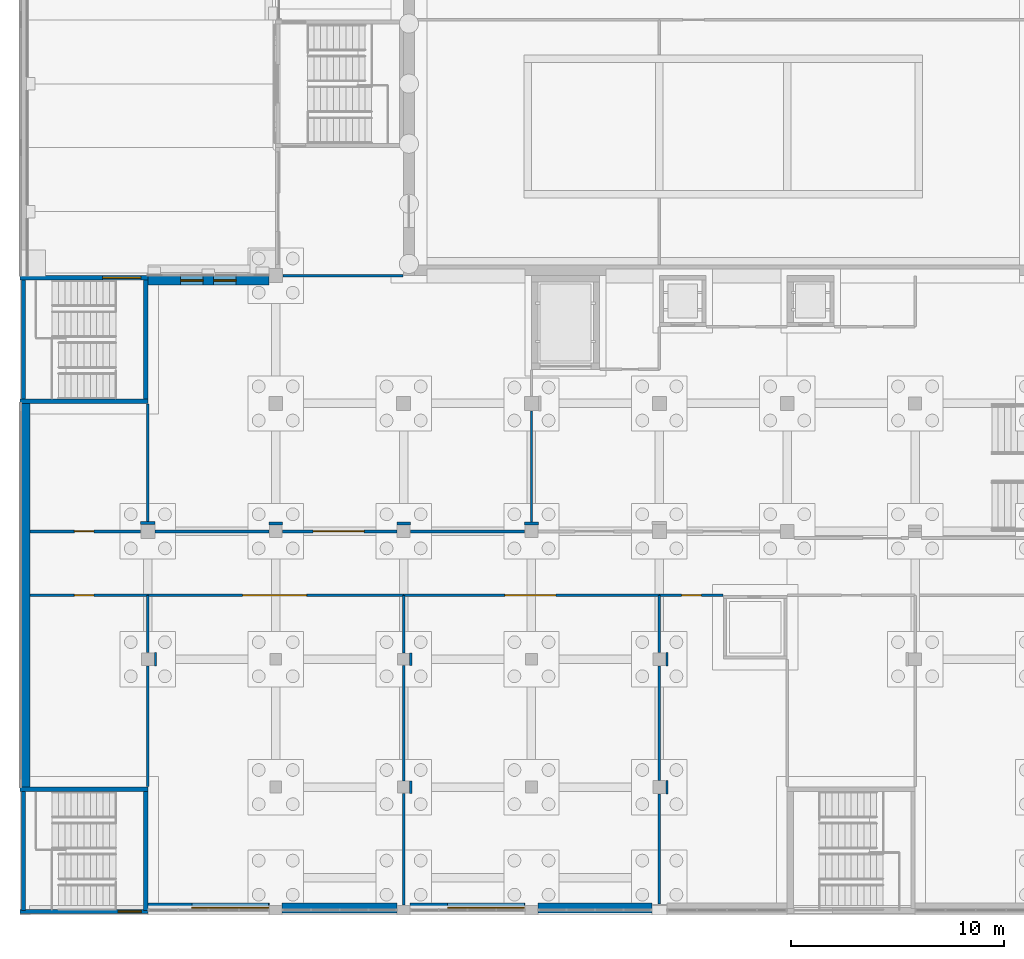
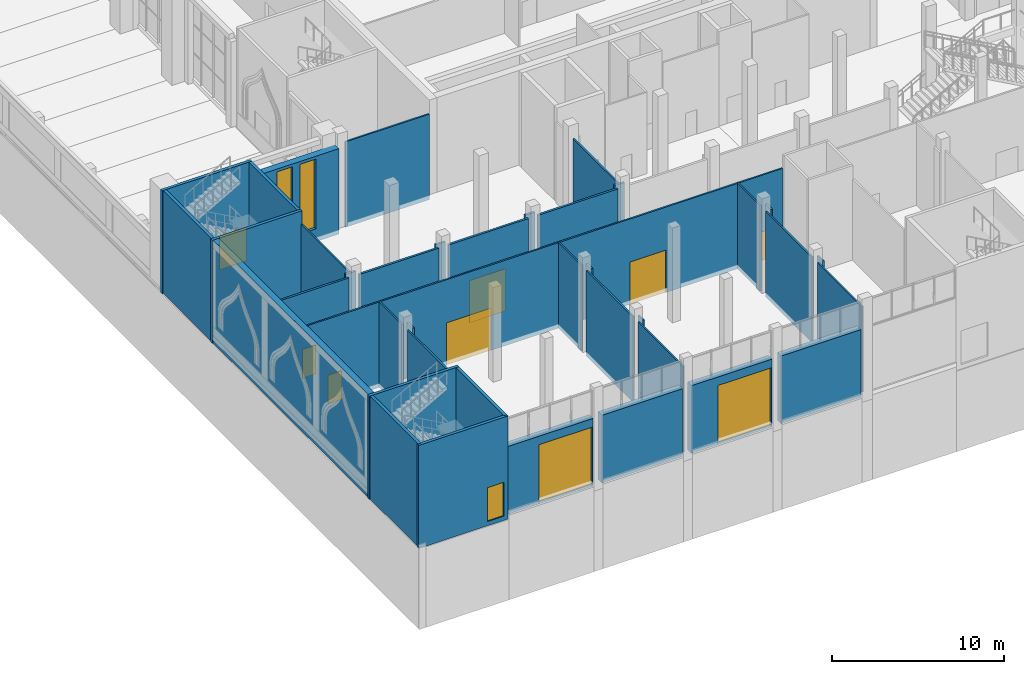
# One storey, part 40 of 95: 42 walls, 10 doors, 2 windows, 12 openings.
"""IFC4 building model written with IfcOpenShell, lengths in metres."""

import ifcopenshell
import ifcopenshell.guid

model = None  # the IFC model being written
_history = None  # IfcOwnerHistory: only IFC2X3 demands one
_inside = {}  # id of a spatial element -> (the spatial element, [elements in it])
_under = {}  # id of a project, library or spatial element -> (it, [spatial elements below it])
_declared = {}  # id of a project -> (the project, [libraries it declares])
_typed = {}  # id of a type object -> (the type object, [elements of that type])
_made_of = {}  # id of a material, layer set ... -> (it, [elements and type objects made of it])


def new_model(schema):
    """Start an empty IFC model of exactly this schema.

    Asked for "IFC4X3", IfcOpenShell would pick the latest addendum, in which some entities
    have other attributes; the version numbers below select the first issue.
    IFC2X3 requires an IfcOwnerHistory on every rooted entity: one is made here for all.
    """
    global model, _history
    if schema == "IFC4X3":
        model = ifcopenshell.file(schema_version=(4, 3, 0, 0))
    else:
        model = ifcopenshell.file(schema=schema)
    _inside.clear()
    _under.clear()
    _declared.clear()
    _typed.clear()
    _made_of.clear()
    _history = None
    if model.schema == "IFC2X3":
        org = make("IfcOrganization", Name="unknown")
        user = make(
            "IfcPersonAndOrganization",
            ThePerson=make("IfcPerson", FamilyName="unknown"),
            TheOrganization=org,
        )
        app = make(
            "IfcApplication",
            ApplicationDeveloper=org,
            Version="unknown",
            ApplicationFullName="unknown",
            ApplicationIdentifier="unknown",
        )
        _history = make(
            "IfcOwnerHistory",
            OwningUser=user,
            OwningApplication=app,
            ChangeAction="ADDED",
            CreationDate=0,
        )
    return model


def make(cls, **values):
    """One entity of the class cls with the attributes given. An attribute that is None is left unset."""
    return model.create_entity(
        cls, **{name: value for name, value in values.items() if value is not None}
    )


def rooted(cls, **values):
    """An entity with a GlobalId (a new one), such as an element, a storey or a relation."""
    return make(cls, GlobalId=ifcopenshell.guid.new(), OwnerHistory=_history, **values)


def si_unit(unit_type, name, prefix=None):
    """IfcSIUnit, for example si_unit("LENGTHUNIT", "METRE", prefix="MILLI")."""
    return make("IfcSIUnit", UnitType=unit_type, Prefix=prefix, Name=name)


def assignment(units):
    """IfcUnitAssignment: the units of a project."""
    return None if units is None else make("IfcUnitAssignment", Units=units)


def point(xyz):
    """IfcCartesianPoint."""
    return None if xyz is None else make("IfcCartesianPoint", Coordinates=xyz)


def direction(xyz):
    """IfcDirection."""
    return None if xyz is None else make("IfcDirection", DirectionRatios=xyz)


def frame(location, z_axis=None, x_axis=None):
    """IfcAxis2Placement3D, a coordinate frame: its origin and axes. An axis left out is left unset."""
    return make(
        "IfcAxis2Placement3D",
        Location=point(location),
        Axis=direction(z_axis),
        RefDirection=direction(x_axis),
    )


def frame_2d(location, x_axis=None):
    """IfcAxis2Placement2D, a coordinate frame in the plane: its origin and x axis."""
    return make(
        "IfcAxis2Placement2D", Location=point(location), RefDirection=direction(x_axis)
    )


def origin():
    """The frame at (0, 0, 0) with its axes left unset."""
    return frame((0.0, 0.0, 0.0))


def place(relative_to, where):
    """IfcLocalPlacement: puts the frame where relative to a parent placement (None: the world)."""
    return make(
        "IfcLocalPlacement", PlacementRelTo=relative_to, RelativePlacement=where
    )


def context(
    kind, dimensions, precision=None, world=None, true_north=None, identifier=None
):
    """IfcGeometricRepresentationContext, for example the 3D "Model" context."""
    return make(
        "IfcGeometricRepresentationContext",
        ContextIdentifier=identifier,
        ContextType=kind,
        CoordinateSpaceDimension=dimensions,
        Precision=precision,
        WorldCoordinateSystem=world,
        TrueNorth=true_north,
    )


def subcontext(parent, identifier, kind, view, scale=None):
    """IfcGeometricRepresentationSubContext, for example "Body" below "Model"."""
    return make(
        "IfcGeometricRepresentationSubContext",
        ContextIdentifier=identifier,
        ContextType=kind,
        ParentContext=parent,
        TargetScale=scale,
        TargetView=view,
    )


def project(units=None, contexts=None):
    """IfcProject with its units and contexts."""
    return rooted(
        "IfcProject",
        Name="project",
        RepresentationContexts=contexts,
        UnitsInContext=assignment(units),
    )


def spatial(cls, under=None, at=None, **own):
    """A site, building, storey or space (cls), placed at a placement, below another one or the project."""
    s = rooted(cls, ObjectPlacement=at, **own)
    if under is not None:
        _under.setdefault(under.id(), (under, []))[1].append(s)
    return s


def profile(cls, at=None, kind="AREA", **sizes):
    """A parametric profile (cls). Its sizes go by their IFC names, for example OverallWidth=200.0."""
    return make(cls, ProfileType=kind, Position=at, **sizes)


def rectangle(**sizes):
    """IfcRectangleProfileDef."""
    return profile("IfcRectangleProfileDef", **sizes)


def extrude(swept, where, along, depth):
    """IfcExtrudedAreaSolid: the profile swept, set in the frame where, extruded along a direction by depth."""
    return make(
        "IfcExtrudedAreaSolid",
        SweptArea=swept,
        Position=where,
        ExtrudedDirection=direction(along),
        Depth=depth,
    )


def shape(context_of_items, identifier, shape_type, items):
    """IfcShapeRepresentation: the items that make up one representation, for example the "Body"."""
    return make(
        "IfcShapeRepresentation",
        ContextOfItems=context_of_items,
        RepresentationIdentifier=identifier,
        RepresentationType=shape_type,
        Items=items,
    )


def material(Name=None, Category=None):
    """IfcMaterial."""
    return make("IfcMaterial", Name=Name, Category=Category)


def layer(
    of_material, thickness, ventilated=None, Name=None, Category=None, Priority=None
):
    """IfcMaterialLayer: one layer of a wall or slab, of a material (None: an air gap)."""
    return make(
        "IfcMaterialLayer",
        Material=of_material,
        LayerThickness=thickness,
        IsVentilated=ventilated,
        Name=Name,
        Category=Category,
        Priority=Priority,
    )


def layer_set(layers, Name=None):
    """IfcMaterialLayerSet."""
    return make("IfcMaterialLayerSet", MaterialLayers=layers, LayerSetName=Name)


def made_of(thing, what):
    """Note that an element or type object is made of a material, layer set ...; save() writes the relation."""
    if what is not None:
        _made_of.setdefault(what.id(), (what, []))[1].append(thing)
    return thing


def type_object(cls, material=None, **own):
    """A type object (cls), such as IfcWallType, which elements share."""
    return made_of(rooted(cls, **own), material)


def element(
    cls,
    number,
    at=None,
    inside=None,
    cuts=None,
    type_object=None,
    material=None,
    context=None,
    identifier="Body",
    shape_type=None,
    held_by="IfcProductDefinitionShape",
    body=None,
    shapes=None,
    **own,
):
    """One element of the class cls, such as IfcWall. Its Tag is "e" and its number.

    at: its placement. inside: the storey or other place that contains it. cuts: it is an
    opening in that element (IfcRelVoidsElement). A single representation is given by context,
    identifier, shape_type and body (its items); several are given by shapes. held_by: the class
    of the entity that holds the representations. save() writes the other relations.
    """
    e = rooted(cls, Tag="e%d" % number, ObjectPlacement=at, **own)
    if body is not None:
        shapes = [shape(context, identifier, shape_type, body)]
    if shapes is not None:
        e.Representation = make(held_by, Representations=shapes)
    if inside is not None:
        _inside.setdefault(inside.id(), (inside, []))[1].append(e)
    if cuts is not None:
        rooted(
            "IfcRelVoidsElement", RelatingBuildingElement=cuts, RelatedOpeningElement=e
        )
    if type_object is not None:
        _typed.setdefault(type_object.id(), (type_object, []))[1].append(e)
    return made_of(e, material)


def fill(opening, filler):
    """IfcRelFillsElement: the door or window that sits in an opening."""
    return rooted(
        "IfcRelFillsElement",
        RelatingOpeningElement=opening,
        RelatedBuildingElement=filler,
    )


def aggregate(whole, parts):
    """IfcRelAggregates: a whole, such as a stair, and the parts it consists of."""
    return rooted("IfcRelAggregates", RelatingObject=whole, RelatedObjects=parts)


def save(model, path):
    """Write the relations noted so far, then the file.

    IfcRelAggregates (storeys below a building ...), IfcRelContainedInSpatialStructure (elements
    in a storey), IfcRelDefinesByType, IfcRelAssociatesMaterial and IfcRelDeclares: one each for
    every whole, place, type object, material and project.
    """
    for whole, parts in _under.values():
        aggregate(whole, parts)
    for where, things in _inside.values():
        rooted(
            "IfcRelContainedInSpatialStructure",
            RelatedElements=things,
            RelatingStructure=where,
        )
    for kind, things in _typed.values():
        rooted("IfcRelDefinesByType", RelatedObjects=things, RelatingType=kind)
    for what, things in _made_of.values():
        rooted("IfcRelAssociatesMaterial", RelatedObjects=things, RelatingMaterial=what)
    for by, libraries in _declared.values():
        rooted("IfcRelDeclares", RelatingContext=by, RelatedDefinitions=libraries)
    model.write(path)


model = new_model("IFC4")

# Units and contexts
model_context = context("Model", 3, precision=1e-05, world=origin(), true_north=direction((0.0, 1.0)))
body_context = subcontext(model_context, "Body", "Model", "MODEL_VIEW")
ifc_project = project(units=[si_unit("LENGTHUNIT", "METRE"), si_unit("AREAUNIT", "SQUARE_METRE"), si_unit("VOLUMEUNIT", "CUBIC_METRE"), si_unit("PLANEANGLEUNIT", "RADIAN"), si_unit("MASSUNIT", "GRAM", prefix="KILO")], contexts=[model_context])

# Site, building, storey
site_placement = place(None, origin())
site = spatial("IfcSite", under=ifc_project, at=site_placement, CompositionType="ELEMENT")
building_placement = place(site_placement, origin())
building = spatial("IfcBuilding", under=site, at=building_placement, Name="Saffron Lane Theatres", CompositionType="ELEMENT")
storey_placement = place(building_placement, origin())
storey = spatial("IfcBuildingStorey", under=building, at=storey_placement, Name="L00", CompositionType="ELEMENT", Elevation=0.0)

# Wall, openings, windows
ifc_material_1 = material(Name="Masonry pale clay brick", Category="masonry")
ifc_layer_1 = layer(ifc_material_1, 0.449951171875)
ifc_layer_set_1 = layer_set([ifc_layer_1], Name="Masonry pale clay brick")
wall_type_1 = type_object("IfcWallType", Name="EX-WALL BRICK 450", PredefinedType="SOLIDWALL", material=ifc_layer_set_1)
wall_1_placement = place(storey_placement, frame((6.0, 29.77490234375, 0.0), z_axis=(0.0, 0.0, 1.0), x_axis=(1.0, 0.0, 0.0)))
wall_1 = element("IfcWall", 1, at=wall_1_placement, inside=storey, type_object=wall_type_1, Name="External wall L00 01", PredefinedType="SOLIDWALL", context=body_context, shape_type="SweptSolid", body=[
    extrude(rectangle(XDim=5.675048828125, YDim=0.449951171875, at=frame_2d((2.83740234375, 0.0))), origin(), (0.0, 0.0, 1.0), 6.050048828125),
])
opening_1_placement = place(wall_1_placement, frame((1.5380859375, 0.0, 0.89990234375)))
opening_1 = element("IfcOpeningElement", 2, at=opening_1_placement, cuts=wall_1, Name="Opening WN00-001", PredefinedType="OPENING", context=body_context, shape_type="SweptSolid", body=[
    extrude(rectangle(XDim=1.050048828125, YDim=4.949951171875, at=frame_2d((0.52490234375, 2.47509765625))), frame((0.0, 0.23486328125, 0.0), z_axis=(0.0, -1.0, 0.0), x_axis=(1.0, 0.0, 0.0)), (0.0, 0.0, 1.0), 0.469970703125),
])
opening_2_placement = place(wall_1_placement, frame((3.087890625, 0.0, 0.89990234375)))
opening_2 = element("IfcOpeningElement", 3, at=opening_2_placement, cuts=wall_1, Name="Opening WN00-002", PredefinedType="OPENING", context=body_context, shape_type="SweptSolid", body=[
    extrude(rectangle(XDim=1.050048828125, YDim=4.949951171875, at=frame_2d((0.52490234375, 2.47509765625))), frame((0.0, 0.23486328125, 0.0), z_axis=(0.0, -1.0, 0.0), x_axis=(1.0, 0.0, 0.0)), (0.0, 0.0, 1.0), 0.469970703125),
])
ifc_material_2 = material(Name="Aluminium", Category="aluminium")
window_type = type_object("IfcWindowType", Name="EX-WINDOW 1050x4950", PartitioningType="SINGLE_PANEL", PredefinedType="WINDOW", material=ifc_material_2)
window_1_placement = place(opening_1_placement, origin())
window_1 = element("IfcWindow", 4, at=window_1_placement, inside=storey, type_object=window_type, Name="Window L00 001", OverallHeight=4.949951171875, OverallWidth=1.050048828125, PartitioningType="SINGLE_PANEL", PredefinedType="WINDOW", context=body_context, shape_type="SweptSolid", body=[
    extrude(rectangle(XDim=1.050048828125, YDim=4.949951171875, at=frame_2d((0.52490234375, 2.47509765625))), frame((0.0, 0.030029296875, 0.0), z_axis=(0.0, -1.0, 0.0), x_axis=(1.0, 0.0, 0.0)), (0.0, 0.0, 1.0), 0.06005859375),
])
fill(opening_1, window_1)
window_2_placement = place(opening_2_placement, origin())
window_2 = element("IfcWindow", 5, at=window_2_placement, inside=storey, type_object=window_type, Name="Window L00 002", OverallHeight=4.949951171875, OverallWidth=1.050048828125, PartitioningType="SINGLE_PANEL", PredefinedType="WINDOW", context=body_context, shape_type="SweptSolid", body=[
    extrude(rectangle(XDim=1.050048828125, YDim=4.949951171875, at=frame_2d((0.52490234375, 2.47509765625))), frame((0.0, 0.030029296875, 0.0), z_axis=(0.0, -1.0, 0.0), x_axis=(1.0, 0.0, 0.0)), (0.0, 0.0, 1.0), 0.06005859375),
])
fill(opening_2, window_2)

# Wall
wall_2_placement = place(storey_placement, frame((29.64990234375, 0.324951171875, 0.0), z_axis=(0.0, 0.0, 1.0), x_axis=(-1.0, 0.0, 0.0)))
element("IfcWall", 6, at=wall_2_placement, inside=storey, type_object=wall_type_1, Name="External wall L00 23", PredefinedType="SOLIDWALL", context=body_context, shape_type="SweptSolid", body=[
    extrude(rectangle(XDim=5.349853515625, YDim=0.449951171875, at=frame_2d((2.6748046875, 0.0))), origin(), (0.0, 0.0, 1.0), 4.800048828125),
])

# Wall, opening, door
wall_3_placement = place(storey_placement, frame((23.699951171875, 0.324951171875, 0.0), z_axis=(0.0, 0.0, 1.0), x_axis=(-1.0, 0.0, 0.0)))
wall_3 = element("IfcWall", 7, at=wall_3_placement, inside=storey, type_object=wall_type_1, Name="External wall L00 24", PredefinedType="SOLIDWALL", context=body_context, shape_type="SweptSolid", body=[
    extrude(rectangle(XDim=5.39990234375, YDim=0.449951171875, at=frame_2d((2.699951171875, 0.0))), origin(), (0.0, 0.0, 1.0), 4.800048828125),
])
opening_3_placement = place(wall_3_placement, frame((0.030029296875, 0.0, 0.0)))
opening_3 = element("IfcOpeningElement", 8, at=opening_3_placement, cuts=wall_3, Name="Opening ED00-10", PredefinedType="OPENING", context=body_context, shape_type="SweptSolid", body=[
    extrude(rectangle(XDim=3.60009765625, YDim=4.199951171875, at=frame_2d((1.800048828125, 2.10009765625))), frame((0.0, 0.23486328125, 0.0), z_axis=(0.0, -1.0, 0.0), x_axis=(1.0, 0.0, 0.0)), (0.0, 0.0, 1.0), 0.469970703125),
])
ifc_material_3 = material(Name="Steel faced door leaf", Category="steel")
door_type_1 = type_object("IfcDoorType", Name="EX-ROLLER SHUTTER 3600x4200", OperationType="ROLLINGUP", PredefinedType="DOOR", material=ifc_material_3)
door_1_placement = place(opening_3_placement, origin())
door_1 = element("IfcDoor", 9, at=door_1_placement, inside=storey, type_object=door_type_1, Name="Scene Dock door", OperationType="ROLLINGUP", OverallHeight=4.199951171875, OverallWidth=3.60009765625, PredefinedType="DOOR", context=body_context, shape_type="SweptSolid", body=[
    extrude(rectangle(XDim=3.60009765625, YDim=4.199951171875, at=frame_2d((1.800048828125, 2.10009765625))), frame((0.0, 0.02490234375, 0.0), z_axis=(0.0, -1.0, 0.0), x_axis=(1.0, 0.0, 0.0)), (0.0, 0.0, 1.0), 0.050048828125),
])
fill(opening_3, door_1)

# Wall
wall_4_placement = place(storey_placement, frame((17.699951171875, 0.324951171875, 0.0), z_axis=(0.0, 0.0, 1.0), x_axis=(-1.0, 0.0, 0.0)))
element("IfcWall", 10, at=wall_4_placement, inside=storey, type_object=wall_type_1, Name="External wall L00 25", PredefinedType="SOLIDWALL", context=body_context, shape_type="SweptSolid", body=[
    extrude(rectangle(XDim=5.39990234375, YDim=0.449951171875, at=frame_2d((2.699951171875, 0.0))), origin(), (0.0, 0.0, 1.0), 4.800048828125),
])

# Wall, opening, door
wall_5_placement = place(storey_placement, frame((11.699951171875, 0.324951171875, 0.0), z_axis=(0.0, 0.0, 1.0), x_axis=(-1.0, 0.0, 0.0)))
wall_5 = element("IfcWall", 11, at=wall_5_placement, inside=storey, type_object=wall_type_1, Name="External wall L00 26", PredefinedType="SOLIDWALL", context=body_context, shape_type="SweptSolid", body=[
    extrude(rectangle(XDim=5.699951171875, YDim=0.449951171875, at=frame_2d((2.85009765625, 0.0))), origin(), (0.0, 0.0, 1.0), 4.800048828125),
])
opening_4_placement = place(wall_5_placement, frame((0.030029296875, 0.0, 0.0)))
opening_4 = element("IfcOpeningElement", 12, at=opening_4_placement, cuts=wall_5, Name="Opening ED00-11", PredefinedType="OPENING", context=body_context, shape_type="SweptSolid", body=[
    extrude(rectangle(XDim=3.60009765625, YDim=4.199951171875, at=frame_2d((1.800048828125, 2.10009765625))), frame((0.0, 0.23486328125, 0.0), z_axis=(0.0, -1.0, 0.0), x_axis=(1.0, 0.0, 0.0)), (0.0, 0.0, 1.0), 0.469970703125),
])
door_2_placement = place(opening_4_placement, origin())
door_2 = element("IfcDoor", 13, at=door_2_placement, inside=storey, type_object=door_type_1, Name="Loading Dock door", OperationType="ROLLINGUP", OverallHeight=4.199951171875, OverallWidth=3.60009765625, PredefinedType="DOOR", context=body_context, shape_type="SweptSolid", body=[
    extrude(rectangle(XDim=3.60009765625, YDim=4.199951171875, at=frame_2d((1.800048828125, 2.10009765625))), frame((0.0, 0.02490234375, 0.0), z_axis=(0.0, -1.0, 0.0), x_axis=(1.0, 0.0, 0.0)), (0.0, 0.0, 1.0), 0.050048828125),
])
fill(opening_4, door_2)

ifc_material_4 = material(Name="Masonry block partition", Category="masonry")
ifc_layer_2 = layer(ifc_material_4, 0.110107421875)
ifc_layer_set_2 = layer_set([ifc_layer_2], Name="Masonry block partition")
wall_type_2 = type_object("IfcWallType", Name="IN-BLOCK PARTITION 110", PredefinedType="PARTITIONING", material=ifc_layer_set_2)
wall_6_placement = place(storey_placement, frame((0.47998046875, 15.0, 0.0), z_axis=(0.0, 0.0, 1.0), x_axis=(1.0, 0.0, 0.0)))
wall_6 = element("IfcWall", 14, at=wall_6_placement, inside=storey, type_object=wall_type_2, Name="PW-L00-005", PredefinedType="PARTITIONING", context=body_context, shape_type="SweptSolid", body=[
    extrude(rectangle(XDim=5.52001953125, YDim=0.110107421875, at=frame_2d((2.760009765625, 0.0))), origin(), (0.0, 0.0, 1.0), 6.050048828125),
])
opening_5_placement = place(wall_6_placement, frame((2.070068359375, 0.0, 0.0)))
opening_5 = element("IfcOpeningElement", 15, at=opening_5_placement, cuts=wall_6, Name="Opening D00-21", PredefinedType="OPENING", context=body_context, shape_type="SweptSolid", body=[
    extrude(rectangle(XDim=0.919921875, YDim=2.0400390625, at=frame_2d((0.4599609375, 1.02001953125))), frame((0.0, 0.06494140625, 0.0), z_axis=(0.0, -1.0, 0.0), x_axis=(1.0, 0.0, 0.0)), (0.0, 0.0, 1.0), 0.130126953125),
])
ifc_material_5 = material(Name="Steel faced fire door leaf", Category="steel")
door_type_2 = type_object("IfcDoorType", Name="IN-DOOR 920x2040 FD60", OperationType="NOTDEFINED", PredefinedType="DOOR", material=ifc_material_5)
door_3_placement = place(opening_5_placement, frame((0.919921875, 0.0, 0.0), z_axis=(0.0, 0.0, 1.0), x_axis=(-1.0, 0.0, 0.0)))
door_3 = element("IfcDoor", 16, at=door_3_placement, inside=storey, type_object=door_type_2, Name="D00-21", OperationType="SINGLE_SWING_LEFT", OverallHeight=2.0400390625, OverallWidth=0.919921875, PredefinedType="DOOR", context=body_context, shape_type="SweptSolid", body=[
    extrude(rectangle(XDim=0.919921875, YDim=2.0400390625, at=frame_2d((0.4599609375, 1.02001953125))), frame((0.0, 0.02490234375, 0.0), z_axis=(0.0, -1.0, 0.0), x_axis=(1.0, 0.0, 0.0)), (0.0, 0.0, 1.0), 0.050048828125),
])
fill(opening_5, door_3)

# Walls
wall_7_placement = place(storey_placement, frame((6.0, 6.02001953125, 0.0), z_axis=(0.0, 0.0, 1.0), x_axis=(0.0, 1.0, 0.0)))
element("IfcWall", 17, at=wall_7_placement, inside=storey, type_object=wall_type_2, Name="PW-L00-008", PredefinedType="PARTITIONING", context=body_context, shape_type="SweptSolid", body=[
    extrude(rectangle(XDim=5.659912109375, YDim=0.110107421875, at=frame_2d((2.830078125, 0.0))), origin(), (0.0, 0.0, 1.0), 6.050048828125),
])
wall_8_placement = place(storey_placement, frame((6.0, 12.320068359375, 0.0), z_axis=(0.0, 0.0, 1.0), x_axis=(0.0, 1.0, 0.0)))
element("IfcWall", 18, at=wall_8_placement, inside=storey, type_object=wall_type_2, Name="PW-L00-009", PredefinedType="PARTITIONING", context=body_context, shape_type="SweptSolid", body=[
    extrude(rectangle(XDim=2.679931640625, YDim=0.110107421875, at=frame_2d((1.33984375, 0.0))), origin(), (0.0, 0.0, 1.0), 6.050048828125),
])
wall_9_placement = place(storey_placement, frame((6.360107421875, 11.679931640625, 0.0), z_axis=(0.0, 0.0, 1.0), x_axis=(0.0, 1.0, 0.0)))
element("IfcWall", 19, at=wall_9_placement, inside=storey, type_object=wall_type_2, Name="PW-L00-010", PredefinedType="PARTITIONING", context=body_context, shape_type="SweptSolid", body=[
    extrude(rectangle(XDim=0.64013671875, YDim=0.110107421875, at=frame_2d((0.320068359375, 0.0))), origin(), (0.0, 0.0, 1.0), 6.050048828125),
])

# Wall, opening, door
wall_10_placement = place(storey_placement, frame((6.0, 15.0, 0.0), z_axis=(0.0, 0.0, 1.0), x_axis=(1.0, 0.0, 0.0)))
wall_10 = element("IfcWall", 20, at=wall_10_placement, inside=storey, type_object=wall_type_2, Name="PW-L00-011", PredefinedType="PARTITIONING", context=body_context, shape_type="SweptSolid", body=[
    extrude(rectangle(XDim=12.0, YDim=0.110107421875, at=frame_2d((6.0, 0.0))), origin(), (0.0, 0.0, 1.0), 6.050048828125),
])
opening_6_placement = place(wall_10_placement, frame((4.449951171875, 0.0, 0.0)))
opening_6 = element("IfcOpeningElement", 21, at=opening_6_placement, cuts=wall_10, Name="Opening D00-19", PredefinedType="OPENING", context=body_context, shape_type="SweptSolid", body=[
    extrude(rectangle(XDim=3.0, YDim=3.0, at=frame_2d((1.5, 1.5))), frame((0.0, 0.06494140625, 0.0), z_axis=(0.0, -1.0, 0.0), x_axis=(1.0, 0.0, 0.0)), (0.0, 0.0, 1.0), 0.130126953125),
])
ifc_material_6 = material(Name="Steel faced fire door leaf", Category="steel")
door_type_3 = type_object("IfcDoorType", Name="IN-DOOR 3000x3000 FD60", OperationType="DOUBLE_DOOR_SINGLE_SWING", PredefinedType="DOOR", material=ifc_material_6)
door_4_placement = place(opening_6_placement, frame((3.0, 0.0, 0.0), z_axis=(0.0, 0.0, 1.0), x_axis=(-1.0, 0.0, 0.0)))
door_4 = element("IfcDoor", 22, at=door_4_placement, inside=storey, type_object=door_type_3, Name="D00-19", OperationType="DOUBLE_DOOR_SINGLE_SWING", OverallHeight=3.0, OverallWidth=3.0, PredefinedType="DOOR", context=body_context, shape_type="SweptSolid", body=[
    extrude(rectangle(XDim=3.0, YDim=3.0, at=frame_2d((1.5, 1.5))), frame((0.0, 0.02490234375, 0.0), z_axis=(0.0, -1.0, 0.0), x_axis=(1.0, 0.0, 0.0)), (0.0, 0.0, 1.0), 0.050048828125),
])
fill(opening_6, door_4)

# Walls
for number, where, z_axis, x_axis, name in (
    (23, (6.0, 18.344970703125, 0.0), (0.0, 0.0, 1.0), (0.0, 1.0, 0.0), "PW-L00-012"),
    (24, (12.344970703125, 30.0, 0.0), (0.0, 0.0, 1.0), (1.0, 0.0, 0.0), "PW-L00-013"),
):
    element("IfcWall", number, at=place(storey_placement, frame(where, z_axis=z_axis, x_axis=x_axis)), inside=storey, type_object=wall_type_2, Name=name, PredefinedType="PARTITIONING", context=body_context, shape_type="SweptSolid", body=[
        extrude(rectangle(XDim=5.635009765625, YDim=0.110107421875, at=frame_2d((2.8173828125, 0.0))), origin(), (0.0, 0.0, 1.0), 6.050048828125),
    ])
wall_11_placement = place(storey_placement, frame((18.0, 12.294921875, 0.0), z_axis=(0.0, 0.0, 1.0), x_axis=(0.0, 1.0, 0.0)))
element("IfcWall", 25, at=wall_11_placement, inside=storey, type_object=wall_type_2, Name="PW-L00-016", PredefinedType="PARTITIONING", context=body_context, shape_type="SweptSolid", body=[
    extrude(rectangle(XDim=2.705078125, YDim=0.110107421875, at=frame_2d((1.3525390625, 0.0))), origin(), (0.0, 0.0, 1.0), 6.050048828125),
])
wall_12_placement = place(storey_placement, frame((18.0, 6.294921875, 0.0), z_axis=(0.0, 0.0, 1.0), x_axis=(0.0, 1.0, 0.0)))
element("IfcWall", 26, at=wall_12_placement, inside=storey, type_object=wall_type_2, Name="PW-L00-017", PredefinedType="PARTITIONING", context=body_context, shape_type="SweptSolid", body=[
    extrude(rectangle(XDim=5.41015625, YDim=0.110107421875, at=frame_2d((2.705078125, 0.0))), origin(), (0.0, 0.0, 1.0), 6.050048828125),
])
wall_13_placement = place(storey_placement, frame((18.0, 0.470458984375, 0.0), z_axis=(0.0, 0.0, 1.0), x_axis=(0.0, 1.0, 0.0)))
element("IfcWall", 27, at=wall_13_placement, inside=storey, type_object=wall_type_2, Name="PW-L00-018", PredefinedType="PARTITIONING", context=body_context, shape_type="SweptSolid", body=[
    extrude(rectangle(XDim=5.234619140625, YDim=0.110107421875, at=frame_2d((2.6171875, 0.0))), origin(), (0.0, 0.0, 1.0), 6.050048828125),
])
for number, where, z_axis, x_axis, name in (
    (28, (18.3349609375, 11.705078125, 0.0), (0.0, 0.0, 1.0), (0.0, 1.0, 0.0), "PW-L00-019"),
    (29, (18.3349609375, 5.705078125, 0.0), (0.0, 0.0, 1.0), (0.0, 1.0, 0.0), "PW-L00-020"),
):
    element("IfcWall", number, at=place(storey_placement, frame(where, z_axis=z_axis, x_axis=x_axis)), inside=storey, type_object=wall_type_2, Name=name, PredefinedType="PARTITIONING", context=body_context, shape_type="SweptSolid", body=[
        extrude(rectangle(XDim=0.58984375, YDim=0.110107421875, at=frame_2d((0.294921875, 0.0))), origin(), (0.0, 0.0, 1.0), 6.050048828125),
    ])

# Wall, opening, door
wall_14_placement = place(storey_placement, frame((18.0, 15.0, 0.0), z_axis=(0.0, 0.0, 1.0), x_axis=(1.0, 0.0, 0.0)))
wall_14 = element("IfcWall", 30, at=wall_14_placement, inside=storey, type_object=wall_type_2, Name="PW-L00-021", PredefinedType="PARTITIONING", context=body_context, shape_type="SweptSolid", body=[
    extrude(rectangle(XDim=12.0, YDim=0.110107421875, at=frame_2d((6.0, 0.0))), origin(), (0.0, 0.0, 1.0), 6.050048828125),
])
opening_7_placement = place(wall_14_placement, frame((4.75, 0.0, 0.0)))
opening_7 = element("IfcOpeningElement", 31, at=opening_7_placement, cuts=wall_14, Name="Opening D00-20", PredefinedType="OPENING", context=body_context, shape_type="SweptSolid", body=[
    extrude(rectangle(XDim=2.39990234375, YDim=3.0, at=frame_2d((1.199951171875, 1.5))), frame((0.0, 0.06494140625, 0.0), z_axis=(0.0, -1.0, 0.0), x_axis=(1.0, 0.0, 0.0)), (0.0, 0.0, 1.0), 0.130126953125),
])
ifc_material_7 = material(Name="Steel faced fire door leaf", Category="steel")
door_type_4 = type_object("IfcDoorType", Name="IN-DOOR 2400x3000 FD60", OperationType="DOUBLE_DOOR_SINGLE_SWING", PredefinedType="DOOR", material=ifc_material_7)
door_5_placement = place(opening_7_placement, frame((2.39990234375, 0.0, 0.0), z_axis=(0.0, 0.0, 1.0), x_axis=(-1.0, 0.0, 0.0)))
door_5 = element("IfcDoor", 32, at=door_5_placement, inside=storey, type_object=door_type_4, Name="D00-20", OperationType="DOUBLE_DOOR_SINGLE_SWING", OverallHeight=3.0, OverallWidth=2.39990234375, PredefinedType="DOOR", context=body_context, shape_type="SweptSolid", body=[
    extrude(rectangle(XDim=2.39990234375, YDim=3.0, at=frame_2d((1.199951171875, 1.5))), frame((0.0, 0.02490234375, 0.0), z_axis=(0.0, -1.0, 0.0), x_axis=(1.0, 0.0, 0.0)), (0.0, 0.0, 1.0), 0.050048828125),
])
fill(opening_7, door_5)

# Walls
wall_15_placement = place(storey_placement, frame((24.0, 18.320068359375, 0.0), z_axis=(0.0, 0.0, 1.0), x_axis=(0.0, 1.0, 0.0)))
element("IfcWall", 33, at=wall_15_placement, inside=storey, type_object=wall_type_2, Name="PW-L00-023", PredefinedType="PARTITIONING", context=body_context, shape_type="SweptSolid", body=[
    extrude(rectangle(XDim=5.3349609375, YDim=0.110107421875, at=frame_2d((2.66748046875, 0.0))), origin(), (0.0, 0.0, 1.0), 6.050048828125),
])
wall_16_placement = place(storey_placement, frame((30.0, 12.320068359375, 0.0), z_axis=(0.0, 0.0, 1.0), x_axis=(0.0, 1.0, 0.0)))
element("IfcWall", 34, at=wall_16_placement, inside=storey, type_object=wall_type_2, Name="PW-L00-027", PredefinedType="PARTITIONING", context=body_context, shape_type="SweptSolid", body=[
    extrude(rectangle(XDim=2.679931640625, YDim=0.110107421875, at=frame_2d((1.33984375, 0.0))), origin(), (0.0, 0.0, 1.0), 6.050048828125),
])
wall_17_placement = place(storey_placement, frame((30.0, 6.320068359375, 0.0), z_axis=(0.0, 0.0, 1.0), x_axis=(0.0, 1.0, 0.0)))
element("IfcWall", 35, at=wall_17_placement, inside=storey, type_object=wall_type_2, Name="PW-L00-028", PredefinedType="PARTITIONING", context=body_context, shape_type="SweptSolid", body=[
    extrude(rectangle(XDim=5.35986328125, YDim=0.110107421875, at=frame_2d((2.679931640625, 0.0))), origin(), (0.0, 0.0, 1.0), 6.050048828125),
])
wall_18_placement = place(storey_placement, frame((30.0, 0.5205078125, 0.0), z_axis=(0.0, 0.0, 1.0), x_axis=(0.0, 1.0, 0.0)))
element("IfcWall", 36, at=wall_18_placement, inside=storey, type_object=wall_type_2, Name="PW-L00-029", PredefinedType="PARTITIONING", context=body_context, shape_type="SweptSolid", body=[
    extrude(rectangle(XDim=5.159423828125, YDim=0.110107421875, at=frame_2d((2.57958984375, 0.0))), origin(), (0.0, 0.0, 1.0), 6.050048828125),
])
for number, where, z_axis, x_axis, name in (
    (37, (30.360107421875, 11.679931640625, 0.0), (0.0, 0.0, 1.0), (0.0, 1.0, 0.0), "PW-L00-030"),
    (38, (30.360107421875, 5.679931640625, 0.0), (0.0, 0.0, 1.0), (0.0, 1.0, 0.0), "PW-L00-031"),
):
    element("IfcWall", number, at=place(storey_placement, frame(where, z_axis=z_axis, x_axis=x_axis)), inside=storey, type_object=wall_type_2, Name=name, PredefinedType="PARTITIONING", context=body_context, shape_type="SweptSolid", body=[
        extrude(rectangle(XDim=0.64013671875, YDim=0.110107421875, at=frame_2d((0.320068359375, 0.0))), origin(), (0.0, 0.0, 1.0), 6.050048828125),
    ])

# Wall, opening, door
wall_19_placement = place(storey_placement, frame((30.0, 15.0, 0.0), z_axis=(0.0, 0.0, 1.0), x_axis=(1.0, 0.0, 0.0)))
wall_19 = element("IfcWall", 39, at=wall_19_placement, inside=storey, type_object=wall_type_2, Name="PW-L00-032", PredefinedType="PARTITIONING", context=body_context, shape_type="SweptSolid", body=[
    extrude(rectangle(XDim=2.97998046875, YDim=0.110107421875, at=frame_2d((1.489990234375, 0.0))), origin(), (0.0, 0.0, 1.0), 6.050048828125),
])
opening_8_placement = place(wall_19_placement, frame((1.050048828125, 0.0, 0.0)))
opening_8 = element("IfcOpeningElement", 40, at=opening_8_placement, cuts=wall_19, Name="Opening D00-22", PredefinedType="OPENING", context=body_context, shape_type="SweptSolid", body=[
    extrude(rectangle(XDim=0.919921875, YDim=2.0400390625, at=frame_2d((0.4599609375, 1.02001953125))), frame((0.0, 0.06494140625, 0.0), z_axis=(0.0, -1.0, 0.0), x_axis=(1.0, 0.0, 0.0)), (0.0, 0.0, 1.0), 0.130126953125),
])
door_6_placement = place(opening_8_placement, frame((0.919921875, 0.0, 0.0), z_axis=(0.0, 0.0, 1.0), x_axis=(-1.0, 0.0, 0.0)))
door_6 = element("IfcDoor", 41, at=door_6_placement, inside=storey, type_object=door_type_2, Name="D00-22", OperationType="SINGLE_SWING_LEFT", OverallHeight=2.0400390625, OverallWidth=0.919921875, PredefinedType="DOOR", context=body_context, shape_type="SweptSolid", body=[
    extrude(rectangle(XDim=0.919921875, YDim=2.0400390625, at=frame_2d((0.4599609375, 1.02001953125))), frame((0.0, 0.02490234375, 0.0), z_axis=(0.0, -1.0, 0.0), x_axis=(1.0, 0.0, 0.0)), (0.0, 0.0, 1.0), 0.050048828125),
])
fill(opening_8, door_6)

ifc_material_8 = material(Name="Masonry block partition", Category="masonry")
ifc_layer_3 = layer(ifc_material_8, 0.139892578125)
ifc_layer_set_3 = layer_set([ifc_layer_3], Name="Masonry block partition")
wall_type_3 = type_object("IfcWallType", Name="IN-BLOCK PARTITION 140", PredefinedType="PARTITIONING", material=ifc_layer_set_3)
wall_20_placement = place(storey_placement, frame((0.47998046875, 18.0, 0.0), z_axis=(0.0, 0.0, 1.0), x_axis=(1.0, 0.0, 0.0)))
wall_20 = element("IfcWall", 42, at=wall_20_placement, inside=storey, type_object=wall_type_3, Name="PW-L00-073", PredefinedType="PARTITIONING", context=body_context, shape_type="SweptSolid", body=[
    extrude(rectangle(XDim=5.175048828125, YDim=0.139892578125, at=frame_2d((2.58740234375, 0.0))), origin(), (0.0, 0.0, 1.0), 6.050048828125),
])
opening_9_placement = place(wall_20_placement, frame((2.070068359375, 0.0, 0.0)))
opening_9 = element("IfcOpeningElement", 43, at=opening_9_placement, cuts=wall_20, Name="Opening D00-24", PredefinedType="OPENING", context=body_context, shape_type="SweptSolid", body=[
    extrude(rectangle(XDim=0.919921875, YDim=2.0400390625, at=frame_2d((0.4599609375, 1.02001953125))), frame((0.0, 0.080078125, 0.0), z_axis=(0.0, -1.0, 0.0), x_axis=(1.0, 0.0, 0.0)), (0.0, 0.0, 1.0), 0.159912109375),
])
ifc_material_9 = material(Name="Steel faced fire door leaf", Category="steel")
door_type_5 = type_object("IfcDoorType", Name="IN-DOOR 920x2040 FD120", OperationType="NOTDEFINED", PredefinedType="DOOR", material=ifc_material_9)
door_7_placement = place(opening_9_placement, origin())
door_7 = element("IfcDoor", 44, at=door_7_placement, inside=storey, type_object=door_type_5, Name="D00-24", OperationType="SINGLE_SWING_RIGHT", OverallHeight=2.0400390625, OverallWidth=0.919921875, PredefinedType="DOOR", context=body_context, shape_type="SweptSolid", body=[
    extrude(rectangle(XDim=0.919921875, YDim=2.0400390625, at=frame_2d((0.4599609375, 1.02001953125))), frame((0.0, 0.02490234375, 0.0), z_axis=(0.0, -1.0, 0.0), x_axis=(1.0, 0.0, 0.0)), (0.0, 0.0, 1.0), 0.050048828125),
])
fill(opening_9, door_7)

# Wall
wall_21_placement = place(storey_placement, frame((6.344970703125, 18.0, 0.0), z_axis=(0.0, 0.0, 1.0), x_axis=(1.0, 0.0, 0.0)))
element("IfcWall", 45, at=wall_21_placement, inside=storey, type_object=wall_type_3, Name="PW-L00-074", PredefinedType="PARTITIONING", context=body_context, shape_type="SweptSolid", body=[
    extrude(rectangle(XDim=5.3349609375, YDim=0.139892578125, at=frame_2d((2.66748046875, 0.0))), origin(), (0.0, 0.0, 1.0), 6.050048828125),
])

# Wall, opening, door
wall_22_placement = place(storey_placement, frame((12.320068359375, 18.0, 0.0), z_axis=(0.0, 0.0, 1.0), x_axis=(1.0, 0.0, 0.0)))
wall_22 = element("IfcWall", 46, at=wall_22_placement, inside=storey, type_object=wall_type_3, Name="PW-L00-075", PredefinedType="PARTITIONING", context=body_context, shape_type="SweptSolid", body=[
    extrude(rectangle(XDim=5.35986328125, YDim=0.139892578125, at=frame_2d((2.679931640625, 0.0))), origin(), (0.0, 0.0, 1.0), 6.050048828125),
])
opening_10_placement = place(wall_22_placement, frame((1.429931640625, 0.0, 0.0)))
opening_10 = element("IfcOpeningElement", 47, at=opening_10_placement, cuts=wall_22, Name="Opening D00-23", PredefinedType="OPENING", context=body_context, shape_type="SweptSolid", body=[
    extrude(rectangle(XDim=2.39990234375, YDim=3.0, at=frame_2d((1.199951171875, 1.5))), frame((0.0, 0.080078125, 0.0), z_axis=(0.0, -1.0, 0.0), x_axis=(1.0, 0.0, 0.0)), (0.0, 0.0, 1.0), 0.159912109375),
])
ifc_material_10 = material(Name="Steel faced fire door leaf", Category="steel")
door_type_6 = type_object("IfcDoorType", Name="IN-DOOR 2400x3000 FD120", OperationType="DOUBLE_DOOR_SINGLE_SWING", PredefinedType="DOOR", material=ifc_material_10)
door_8_placement = place(opening_10_placement, frame((2.39990234375, 0.0, 0.0), z_axis=(0.0, 0.0, 1.0), x_axis=(-1.0, 0.0, 0.0)))
door_8 = element("IfcDoor", 48, at=door_8_placement, inside=storey, type_object=door_type_6, Name="D00-23", OperationType="DOUBLE_DOOR_SINGLE_SWING", OverallHeight=3.0, OverallWidth=2.39990234375, PredefinedType="DOOR", context=body_context, shape_type="SweptSolid", body=[
    extrude(rectangle(XDim=2.39990234375, YDim=3.0, at=frame_2d((1.199951171875, 1.5))), frame((0.0, 0.02490234375, 0.0), z_axis=(0.0, -1.0, 0.0), x_axis=(1.0, 0.0, 0.0)), (0.0, 0.0, 1.0), 0.050048828125),
])
fill(opening_10, door_8)

# Walls
wall_23_placement = place(storey_placement, frame((18.320068359375, 18.0, 0.0), z_axis=(0.0, 0.0, 1.0), x_axis=(1.0, 0.0, 0.0)))
element("IfcWall", 49, at=wall_23_placement, inside=storey, type_object=wall_type_3, Name="PW-L00-076", PredefinedType="PARTITIONING", context=body_context, shape_type="SweptSolid", body=[
    extrude(rectangle(XDim=5.35986328125, YDim=0.139892578125, at=frame_2d((2.679931640625, 0.0))), origin(), (0.0, 0.0, 1.0), 6.050048828125),
])
wall_24_placement = place(storey_placement, frame((5.655029296875, 18.39990234375, 0.0), z_axis=(0.0, 0.0, 1.0), x_axis=(1.0, 0.0, 0.0)))
element("IfcWall", 50, at=wall_24_placement, inside=storey, type_object=wall_type_3, Name="PW-L00-079", PredefinedType="PARTITIONING", context=body_context, shape_type="SweptSolid", body=[
    extrude(rectangle(XDim=0.68994140625, YDim=0.139892578125, at=frame_2d((0.344970703125, 0.0))), origin(), (0.0, 0.0, 1.0), 6.050048828125),
])
for number, where, z_axis, x_axis, name in (
    (51, (11.679931640625, 18.375, 0.0), (0.0, 0.0, 1.0), (1.0, 0.0, 0.0), "PW-L00-080"),
    (52, (17.679931640625, 18.375, 0.0), (0.0, 0.0, 1.0), (1.0, 0.0, 0.0), "PW-L00-081"),
    (53, (23.679931640625, 18.375, 0.0), (0.0, 0.0, 1.0), (1.0, 0.0, 0.0), "PW-L00-082"),
):
    element("IfcWall", number, at=place(storey_placement, frame(where, z_axis=z_axis, x_axis=x_axis)), inside=storey, type_object=wall_type_3, Name=name, PredefinedType="PARTITIONING", context=body_context, shape_type="SweptSolid", body=[
        extrude(rectangle(XDim=0.64013671875, YDim=0.139892578125, at=frame_2d((0.320068359375, 0.0))), origin(), (0.0, 0.0, 1.0), 6.050048828125),
    ])
ifc_material_11 = material(Name="Concrete N50 (50 MPa)", Category="concrete")
ifc_layer_4 = layer(ifc_material_11, 0.199951171875)
ifc_layer_set_4 = layer_set([ifc_layer_4], Name="Concrete N50 (50 MPa)")
wall_type_4 = type_object("IfcWallType", Name="RC-CORE 200", PredefinedType="SHEAR", material=ifc_layer_set_4)
wall_25_placement = place(storey_placement, frame((0.0, 5.89990234375, -0.300048828125), z_axis=(0.0, 0.0, 1.0), x_axis=(1.0, 0.0, 0.0)))
element("IfcWall", 54, at=wall_25_placement, inside=storey, type_object=wall_type_4, Name="W-ST7-N-L00", PredefinedType="SHEAR", context=body_context, shape_type="SweptSolid", body=[
    extrude(rectangle(XDim=6.0, YDim=0.199951171875, at=frame_2d((3.0, 0.0))), origin(), (0.0, 0.0, 1.0), 7.300048828125),
])
wall_26_placement = place(storey_placement, frame((5.89990234375, 0.199951171875, -0.300048828125), z_axis=(0.0, 0.0, 1.0), x_axis=(0.0, 1.0, 0.0)))
element("IfcWall", 55, at=wall_26_placement, inside=storey, type_object=wall_type_4, Name="W-ST7-E-L00", PredefinedType="SHEAR", context=body_context, shape_type="SweptSolid", body=[
    extrude(rectangle(XDim=5.60009765625, YDim=0.199951171875, at=frame_2d((2.800048828125, 0.0))), origin(), (0.0, 0.0, 1.0), 7.300048828125),
])
wall_27_placement = place(storey_placement, frame((0.0, 24.10009765625, -0.300048828125), z_axis=(0.0, 0.0, 1.0), x_axis=(1.0, 0.0, 0.0)))
element("IfcWall", 56, at=wall_27_placement, inside=storey, type_object=wall_type_4, Name="W-ST12-S-L00", PredefinedType="SHEAR", context=body_context, shape_type="SweptSolid", body=[
    extrude(rectangle(XDim=6.0, YDim=0.199951171875, at=frame_2d((3.0, 0.0))), origin(), (0.0, 0.0, 1.0), 7.300048828125),
])
wall_28_placement = place(storey_placement, frame((5.89990234375, 24.199951171875, -0.300048828125), z_axis=(0.0, 0.0, 1.0), x_axis=(0.0, 1.0, 0.0)))
element("IfcWall", 57, at=wall_28_placement, inside=storey, type_object=wall_type_4, Name="W-ST12-E-L00", PredefinedType="SHEAR", context=body_context, shape_type="SweptSolid", body=[
    extrude(rectangle(XDim=5.60009765625, YDim=0.199951171875, at=frame_2d((2.800048828125, 0.0))), origin(), (0.0, 0.0, 1.0), 7.300048828125),
])

# Wall, opening, door
ifc_material_12 = material(Name="Concrete N50 (50 MPa)", Category="concrete")
ifc_layer_5 = layer(ifc_material_12, 0.199951171875)
ifc_layer_set_5 = layer_set([ifc_layer_5], Name="Concrete N50 (50 MPa)")
wall_type_5 = type_object("IfcWallType", Name="RC-CORE EXTERNAL 200", PredefinedType="SHEAR", material=ifc_layer_set_5)
wall_29_placement = place(storey_placement, frame((0.0, 0.159912109375, -0.300048828125), z_axis=(0.0, 0.0, 1.0), x_axis=(1.0, 0.0, 0.0)))
wall_29 = element("IfcWall", 58, at=wall_29_placement, inside=storey, type_object=wall_type_5, Name="W-ST7-S-L00", PredefinedType="SHEAR", context=body_context, shape_type="SweptSolid", body=[
    extrude(rectangle(XDim=6.0, YDim=0.199951171875, at=frame_2d((3.0, 0.0))), origin(), (0.0, 0.0, 1.0), 7.300048828125),
])
opening_11_placement = place(wall_29_placement, frame((4.60009765625, 0.0, 0.300048828125)))
opening_11 = element("IfcOpeningElement", 59, at=opening_11_placement, cuts=wall_29, Name="Opening EDST7", PredefinedType="OPENING", context=body_context, shape_type="SweptSolid", body=[
    extrude(rectangle(XDim=1.10009765625, YDim=2.39990234375, at=frame_2d((0.550048828125, 1.199951171875))), frame((0.0, 0.10986328125, 0.0), z_axis=(0.0, -1.0, 0.0), x_axis=(1.0, 0.0, 0.0)), (0.0, 0.0, 1.0), 0.219970703125),
])
ifc_material_13 = material(Name="Steel faced fire door leaf", Category="steel")
door_type_7 = type_object("IfcDoorType", Name="EX-EXIT DOOR PAIR 1800x2400", OperationType="DOUBLE_DOOR_SINGLE_SWING", PredefinedType="DOOR", material=ifc_material_13)
door_9_placement = place(opening_11_placement, frame((1.10009765625, 0.0, 0.0), z_axis=(0.0, 0.0, 1.0), x_axis=(-1.0, 0.0, 0.0)))
door_9 = element("IfcDoor", 60, at=door_9_placement, inside=storey, type_object=door_type_7, Name="Exit door ST7", OperationType="DOUBLE_DOOR_SINGLE_SWING", OverallHeight=2.39990234375, OverallWidth=1.10009765625, PredefinedType="DOOR", context=body_context, shape_type="SweptSolid", body=[
    extrude(rectangle(XDim=1.10009765625, YDim=2.39990234375, at=frame_2d((0.550048828125, 1.199951171875))), frame((0.0, 0.02490234375, 0.0), z_axis=(0.0, -1.0, 0.0), x_axis=(1.0, 0.0, 0.0)), (0.0, 0.0, 1.0), 0.050048828125),
])
fill(opening_11, door_9)

# Wall
wall_30_placement = place(storey_placement, frame((0.159912109375, 0.199951171875, -0.300048828125), z_axis=(0.0, 0.0, 1.0), x_axis=(0.0, 1.0, 0.0)))
element("IfcWall", 61, at=wall_30_placement, inside=storey, type_object=wall_type_5, Name="W-ST7-W-L00", PredefinedType="SHEAR", context=body_context, shape_type="SweptSolid", body=[
    extrude(rectangle(XDim=5.60009765625, YDim=0.199951171875, at=frame_2d((2.800048828125, 0.0))), origin(), (0.0, 0.0, 1.0), 7.300048828125),
])

# Wall, opening, door
wall_31_placement = place(storey_placement, frame((0.0, 29.89990234375, -0.300048828125), z_axis=(0.0, 0.0, 1.0), x_axis=(1.0, 0.0, 0.0)))
wall_31 = element("IfcWall", 62, at=wall_31_placement, inside=storey, type_object=wall_type_5, Name="W-ST12-N-L00", PredefinedType="SHEAR", context=body_context, shape_type="SweptSolid", body=[
    extrude(rectangle(XDim=6.0, YDim=0.199951171875, at=frame_2d((3.0, 0.0))), origin(), (0.0, 0.0, 1.0), 7.300048828125),
])
opening_12_placement = place(wall_31_placement, frame((3.875, 0.0, 0.300048828125)))
opening_12 = element("IfcOpeningElement", 63, at=opening_12_placement, cuts=wall_31, Name="Opening EDST12", PredefinedType="OPENING", context=body_context, shape_type="SweptSolid", body=[
    extrude(rectangle(XDim=1.800048828125, YDim=2.39990234375, at=frame_2d((0.89990234375, 1.199951171875))), frame((0.0, 0.10986328125, 0.0), z_axis=(0.0, -1.0, 0.0), x_axis=(1.0, 0.0, 0.0)), (0.0, 0.0, 1.0), 0.219970703125),
])
door_10_placement = place(opening_12_placement, origin())
door_10 = element("IfcDoor", 64, at=door_10_placement, inside=storey, type_object=door_type_7, Name="Exit door ST12", OperationType="DOUBLE_DOOR_SINGLE_SWING", OverallHeight=2.39990234375, OverallWidth=1.800048828125, PredefinedType="DOOR", context=body_context, shape_type="SweptSolid", body=[
    extrude(rectangle(XDim=1.800048828125, YDim=2.39990234375, at=frame_2d((0.89990234375, 1.199951171875))), frame((0.0, 0.02490234375, 0.0), z_axis=(0.0, -1.0, 0.0), x_axis=(1.0, 0.0, 0.0)), (0.0, 0.0, 1.0), 0.050048828125),
])
fill(opening_12, door_10)

# Walls
wall_32_placement = place(storey_placement, frame((0.159912109375, 24.199951171875, -0.300048828125), z_axis=(0.0, 0.0, 1.0), x_axis=(0.0, 1.0, 0.0)))
element("IfcWall", 65, at=wall_32_placement, inside=storey, type_object=wall_type_5, Name="W-ST12-W-L00", PredefinedType="SHEAR", context=body_context, shape_type="SweptSolid", body=[
    extrude(rectangle(XDim=5.60009765625, YDim=0.199951171875, at=frame_2d((2.800048828125, 0.0))), origin(), (0.0, 0.0, 1.0), 7.300048828125),
])
ifc_material_14 = material(Name="Concrete N50 (50 MPa)", Category="concrete")
ifc_layer_6 = layer(ifc_material_14, 0.39990234375)
ifc_layer_set_6 = layer_set([ifc_layer_6], Name="Concrete N50 (50 MPa)")
wall_type_6 = type_object("IfcWallType", Name="RC-PARTY 400", PredefinedType="SOLIDWALL", material=ifc_layer_set_6)
wall_33_placement = place(storey_placement, frame((0.260009765625, 6.0, -0.300048828125), z_axis=(0.0, 0.0, 1.0), x_axis=(0.0, 1.0, 0.0)))
element("IfcWall", 66, at=wall_33_placement, inside=storey, type_object=wall_type_6, Name="W-PARTY-W-6-L00", PredefinedType="SOLIDWALL", context=body_context, shape_type="SweptSolid", body=[
    extrude(rectangle(XDim=18.0, YDim=0.39990234375, at=frame_2d((9.0, 0.0))), origin(), (0.0, 0.0, 1.0), 7.300048828125),
])

save(model, "model.ifc")
